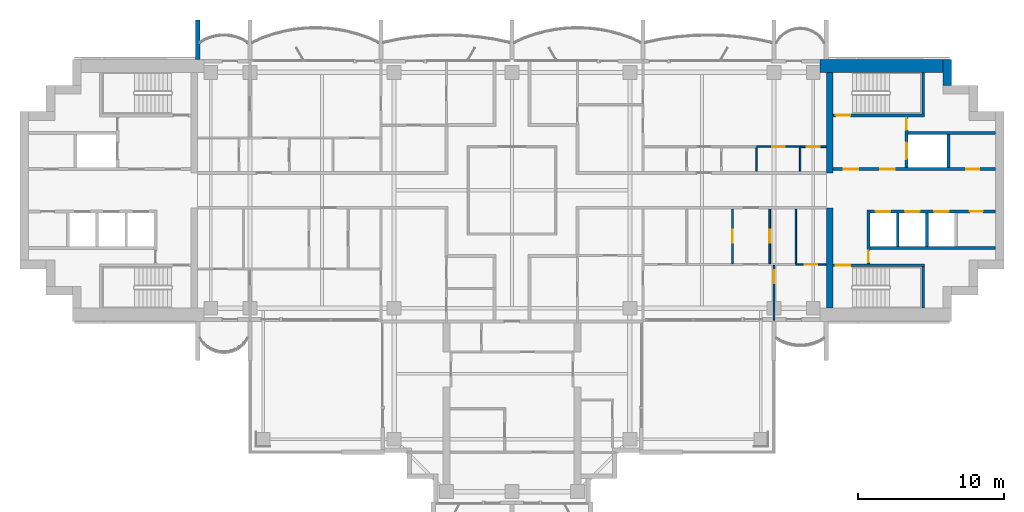
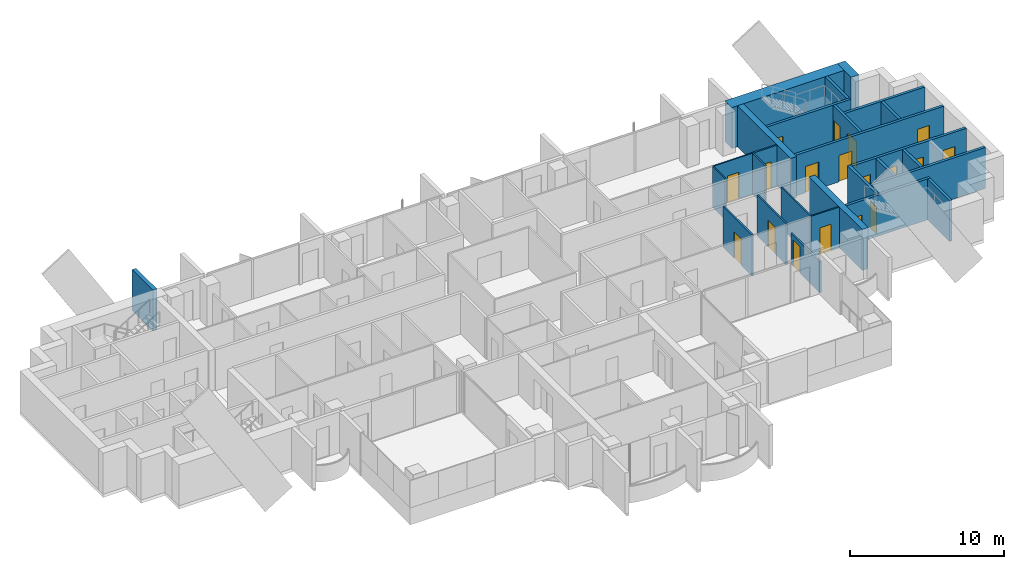
# One storey, part 12 of 17: 27 walls, 18 doors, 18 openings.
"""IFC4 building model written with IfcOpenShell, lengths in metres."""

from ifc_helpers import new_model, si_unit, direction, frame, frame_2d, origin, place, context, subcontext, project, spatial, rectangle, extrude, material, layer, layer_set, type_object, element, fill, save


model = new_model("IFC4")

# Units and contexts
model_context = context("Model", 3, precision=1e-05, world=origin(), true_north=direction((0.0, 1.0)))
body_context = subcontext(model_context, "Body", "Model", "MODEL_VIEW")
ifc_project = project(units=[si_unit("LENGTHUNIT", "METRE"), si_unit("AREAUNIT", "SQUARE_METRE"), si_unit("VOLUMEUNIT", "CUBIC_METRE"), si_unit("PLANEANGLEUNIT", "RADIAN"), si_unit("MASSUNIT", "GRAM", prefix="KILO")], contexts=[model_context])

# Site, building, storey
site_placement = place(None, origin())
site = spatial("IfcSite", under=ifc_project, at=site_placement, CompositionType="ELEMENT")
building_placement = place(site_placement, origin())
building = spatial("IfcBuilding", under=site, at=building_placement, Name="Perihelion Cross Residences", CompositionType="ELEMENT")
storey_placement = place(building_placement, frame((0.0, 0.0, 208.60009765625)))
storey = spatial("IfcBuildingStorey", under=building, at=storey_placement, Name="L52", CompositionType="ELEMENT", Elevation=208.60009765625)

# Walls
ifc_material_1 = material(Name="Concrete C60/75", Category="concrete")
ifc_layer_1 = layer(ifc_material_1, 0.449951171875)
ifc_layer_set_1 = layer_set([ifc_layer_1], Name="Core wall, inner 450")
wall_type_1 = type_object("IfcWallType", Name="Core wall, inner 450", PredefinedType="SHEAR", material=ifc_layer_set_1)
for number, where, z_axis, x_axis, name in (
    (1, (21.824951171875, -8.10009765625, 0.0), (0.0, 0.0, 1.0), (0.0, 1.0, 0.0), "East core core wall, inner"),
    (2, (21.824951171875, 1.199951171875, 0.0), (0.0, 0.0, 1.0), (0.0, 1.0, 0.0), "East core core wall, inner"),
):
    element("IfcWall", number, at=place(storey_placement, frame(where, z_axis=z_axis, x_axis=x_axis)), inside=storey, type_object=wall_type_1, Name=name, PredefinedType="SHEAR", context=body_context, shape_type="SweptSolid", body=[
        extrude(rectangle(XDim=6.900146484375, YDim=0.449951171875, at=frame_2d((3.4501953125, 0.0))), origin(), (0.0, 0.0, 1.0), 3.25),
    ])
ifc_material_2 = material(Name="Concrete C60/75", Category="concrete")
ifc_layer_2 = layer(ifc_material_2, 0.60009765625)
ifc_layer_set_2 = layer_set([ifc_layer_2], Name="Core wall, outer 600")
wall_type_2 = type_object("IfcWallType", Name="Core wall, outer 600", PredefinedType="SHEAR", material=ifc_layer_set_2)
wall_1_placement = place(storey_placement, frame((29.89990234375, 7.199951171875, 0.0), z_axis=(0.0, 0.0, 1.0), x_axis=(0.0, 1.0, 0.0)))
element("IfcWall", 3, at=wall_1_placement, inside=storey, type_object=wall_type_2, Name="East core core wall, outer", PredefinedType="SHEAR", context=body_context, shape_type="SweptSolid", body=[
    extrude(rectangle(XDim=1.800048828125, YDim=0.60009765625, at=frame_2d((0.89990234375, 0.0))), origin(), (0.0, 0.0, 1.0), 3.25),
])
ifc_material_3 = material(Name="Concrete C60/75", Category="concrete")
ifc_layer_3 = layer(ifc_material_3, 0.89990234375)
ifc_layer_set_3 = layer_set([ifc_layer_3], Name="Core wall, outer 900")
wall_type_3 = type_object("IfcWallType", Name="Core wall, outer 900", PredefinedType="SHEAR", material=ifc_layer_set_3)
wall_2_placement = place(storey_placement, frame((21.175048828125, 8.550048828125, 0.0), z_axis=(0.0, 0.0, 1.0), x_axis=(1.0, 0.0, 0.0)))
element("IfcWall", 4, at=wall_2_placement, inside=storey, type_object=wall_type_3, Name="East core core wall, outer", PredefinedType="SHEAR", context=body_context, shape_type="SweptSolid", body=[
    extrude(rectangle(XDim=8.425048828125, YDim=0.89990234375, at=frame_2d((4.21240234375, 0.0))), origin(), (0.0, 0.0, 1.0), 3.25),
])

# Wall, opening, door
ifc_material_4 = material(Name="Concrete C50/60", Category="concrete")
ifc_layer_4 = layer(ifc_material_4, 0.199951171875)
ifc_layer_set_4 = layer_set([ifc_layer_4], Name="Lobby wall 200")
wall_type_4 = type_object("IfcWallType", Name="Lobby wall 200", PredefinedType="SOLIDWALL", material=ifc_layer_set_4)
wall_3_placement = place(storey_placement, frame((24.5, -5.050048828125, 0.0), z_axis=(0.0, 0.0, 1.0), x_axis=(0.0, 1.0, 0.0)))
wall_3 = element("IfcWall", 5, at=wall_3_placement, inside=storey, type_object=wall_type_4, Name="East core lobby wall", PredefinedType="SOLIDWALL", context=body_context, shape_type="SweptSolid", body=[
    extrude(rectangle(XDim=3.699951171875, YDim=0.199951171875, at=frame_2d((1.85009765625, 0.0))), origin(), (0.0, 0.0, 1.0), 3.25),
])
opening_1_placement = place(wall_3_placement, frame((0.10009765625, 0.0, 0.0)))
opening_1 = element("IfcOpeningElement", 6, at=opening_1_placement, cuts=wall_3, Name="Opening L52.C08", PredefinedType="OPENING", context=body_context, shape_type="SweptSolid", body=[
    extrude(rectangle(XDim=0.800048828125, YDim=2.10009765625, at=frame_2d((0.39990234375, 1.050048828125))), frame((0.0, 0.10986328125, 0.0), z_axis=(0.0, -1.0, 0.0), x_axis=(1.0, 0.0, 0.0)), (0.0, 0.0, 1.0), 0.219970703125),
])
ifc_material_5 = material(Name="Steel, powder coated", Category="steel")
door_type_1 = type_object("IfcDoorType", Name="Riser door 800", OperationType="SINGLE_SWING_LEFT", PredefinedType="DOOR", material=ifc_material_5)
door_1_placement = place(opening_1_placement, origin())
door_1 = element("IfcDoor", 7, at=door_1_placement, inside=storey, type_object=door_type_1, Name="East core riser door", OperationType="SINGLE_SWING_LEFT", OverallHeight=2.10009765625, OverallWidth=0.800048828125, PredefinedType="DOOR", context=body_context, shape_type="SweptSolid", body=[
    extrude(rectangle(XDim=0.800048828125, YDim=2.10009765625, at=frame_2d((0.39990234375, 1.050048828125))), frame((0.0, 0.02490234375, 0.0), z_axis=(0.0, -1.0, 0.0), x_axis=(1.0, 0.0, 0.0)), (0.0, 0.0, 1.0), 0.050048828125),
])
fill(opening_1, door_1)

ifc_material_6 = material(Name="Plasterboard partition")
ifc_layer_5 = layer(ifc_material_6, 0.1201171875)
ifc_layer_set_5 = layer_set([ifc_layer_5], Name="Partition wall 120")
wall_type_5 = type_object("IfcWallType", Name="Partition wall 120", PredefinedType="PARTITIONING", material=ifc_layer_set_5)
wall_4_placement = place(storey_placement, frame((19.800048828125, 3.0, 0.0), z_axis=(0.0, 0.0, 1.0), x_axis=(1.0, 0.0, 0.0)))
wall_4 = element("IfcWall", 8, at=wall_4_placement, inside=storey, type_object=wall_type_5, Name="Partition L52 W029", PredefinedType="PARTITIONING", context=body_context, shape_type="SweptSolid", body=[
    extrude(rectangle(XDim=1.800048828125, YDim=0.1201171875, at=frame_2d((0.89990234375, 0.0))), origin(), (0.0, 0.0, 1.0), 3.25),
])
opening_2_placement = place(wall_4_placement, frame((0.449951171875, 0.0, 0.0)))
opening_2 = element("IfcOpeningElement", 9, at=opening_2_placement, cuts=wall_4, Name="Opening L52.A07", PredefinedType="OPENING", context=body_context, shape_type="SweptSolid", body=[
    extrude(rectangle(XDim=0.89990234375, YDim=2.10009765625, at=frame_2d((0.449951171875, 1.050048828125))), frame((0.0, 0.070068359375, 0.0), z_axis=(0.0, -1.0, 0.0), x_axis=(1.0, 0.0, 0.0)), (0.0, 0.0, 1.0), 0.14013671875),
])
ifc_material_7 = material(Name="Timber door leaf", Category="wood")
door_type_2 = type_object("IfcDoorType", Name="Interior room door 900 x 2100", OperationType="SINGLE_SWING_LEFT", PredefinedType="DOOR", material=ifc_material_7)
door_2_placement = place(opening_2_placement, origin())
door_2 = element("IfcDoor", 10, at=door_2_placement, inside=storey, type_object=door_type_2, Name="Door L52.A07", OperationType="SINGLE_SWING_RIGHT", OverallHeight=2.10009765625, OverallWidth=0.89990234375, PredefinedType="DOOR", context=body_context, shape_type="SweptSolid", body=[
    extrude(rectangle(XDim=0.89990234375, YDim=2.10009765625, at=frame_2d((0.449951171875, 1.050048828125))), frame((0.0, 0.02490234375, 0.0), z_axis=(0.0, -1.0, 0.0), x_axis=(1.0, 0.0, 0.0)), (0.0, 0.0, 1.0), 0.050048828125),
])
fill(opening_2, door_2)

wall_5_placement = place(storey_placement, frame((15.14990234375, -1.300048828125, 0.0), z_axis=(0.0, 0.0, 1.0), x_axis=(0.0, -1.0, 0.0)))
wall_5 = element("IfcWall", 11, at=wall_5_placement, inside=storey, type_object=wall_type_5, Name="Partition L52 W035", PredefinedType="PARTITIONING", context=body_context, shape_type="SweptSolid", body=[
    extrude(rectangle(XDim=3.739990234375, YDim=0.1201171875, at=frame_2d((1.8701171875, 0.0))), origin(), (0.0, 0.0, 1.0), 3.25),
])
opening_3_placement = place(wall_5_placement, frame((1.419921875, 0.0, 0.0)))
opening_3 = element("IfcOpeningElement", 12, at=opening_3_placement, cuts=wall_5, Name="Opening L52.A18", PredefinedType="OPENING", context=body_context, shape_type="SweptSolid", body=[
    extrude(rectangle(XDim=0.89990234375, YDim=2.10009765625, at=frame_2d((0.449951171875, 1.050048828125))), frame((0.0, 0.070068359375, 0.0), z_axis=(0.0, -1.0, 0.0), x_axis=(1.0, 0.0, 0.0)), (0.0, 0.0, 1.0), 0.14013671875),
])
door_3_placement = place(opening_3_placement, origin())
door_3 = element("IfcDoor", 13, at=door_3_placement, inside=storey, type_object=door_type_2, Name="Door L52.A18", OperationType="SINGLE_SWING_LEFT", OverallHeight=2.10009765625, OverallWidth=0.89990234375, PredefinedType="DOOR", context=body_context, shape_type="SweptSolid", body=[
    extrude(rectangle(XDim=0.89990234375, YDim=2.10009765625, at=frame_2d((0.449951171875, 1.050048828125))), frame((0.0, 0.02490234375, 0.0), z_axis=(0.0, -1.0, 0.0), x_axis=(1.0, 0.0, 0.0)), (0.0, 0.0, 1.0), 0.050048828125),
])
fill(opening_3, door_3)

wall_6_placement = place(storey_placement, frame((17.699951171875, -1.300048828125, 0.0), z_axis=(0.0, 0.0, 1.0), x_axis=(0.0, -1.0, 0.0)))
wall_6 = element("IfcWall", 14, at=wall_6_placement, inside=storey, type_object=wall_type_5, Name="Partition L52 W036", PredefinedType="PARTITIONING", context=body_context, shape_type="SweptSolid", body=[
    extrude(rectangle(XDim=3.739990234375, YDim=0.1201171875, at=frame_2d((1.8701171875, 0.0))), origin(), (0.0, 0.0, 1.0), 3.25),
])
opening_4_placement = place(wall_6_placement, frame((1.419921875, 0.0, 0.0)))
opening_4 = element("IfcOpeningElement", 15, at=opening_4_placement, cuts=wall_6, Name="Opening L52.A17", PredefinedType="OPENING", context=body_context, shape_type="SweptSolid", body=[
    extrude(rectangle(XDim=0.89990234375, YDim=2.10009765625, at=frame_2d((0.449951171875, 1.050048828125))), frame((0.0, 0.070068359375, 0.0), z_axis=(0.0, -1.0, 0.0), x_axis=(1.0, 0.0, 0.0)), (0.0, 0.0, 1.0), 0.14013671875),
])
door_4_placement = place(opening_4_placement, origin())
door_4 = element("IfcDoor", 16, at=door_4_placement, inside=storey, type_object=door_type_2, Name="Door L52.A17", OperationType="SINGLE_SWING_LEFT", OverallHeight=2.10009765625, OverallWidth=0.89990234375, PredefinedType="DOOR", context=body_context, shape_type="SweptSolid", body=[
    extrude(rectangle(XDim=0.89990234375, YDim=2.10009765625, at=frame_2d((0.449951171875, 1.050048828125))), frame((0.0, 0.02490234375, 0.0), z_axis=(0.0, -1.0, 0.0), x_axis=(1.0, 0.0, 0.0)), (0.0, 0.0, 1.0), 0.050048828125),
])
fill(opening_4, door_4)

wall_7_placement = place(storey_placement, frame((18.0, -5.159912109375, 0.0), z_axis=(0.0, 0.0, 1.0), x_axis=(0.0, -1.0, 0.0)))
wall_7 = element("IfcWall", 17, at=wall_7_placement, inside=storey, type_object=wall_type_5, Name="Partition L52 W039", PredefinedType="PARTITIONING", context=body_context, shape_type="SweptSolid", body=[
    extrude(rectangle(XDim=3.760009765625, YDim=0.1201171875, at=frame_2d((1.8798828125, 0.0))), origin(), (0.0, 0.0, 1.0), 2.47998046875),
])
opening_5_placement = place(wall_7_placement, frame((0.320068359375, 0.0, 0.0)))
opening_5 = element("IfcOpeningElement", 18, at=opening_5_placement, cuts=wall_7, Name="Opening L52.A10", PredefinedType="OPENING", context=body_context, shape_type="SweptSolid", body=[
    extrude(rectangle(XDim=0.89990234375, YDim=2.10009765625, at=frame_2d((0.449951171875, 1.050048828125))), frame((0.0, 0.070068359375, 0.0), z_axis=(0.0, -1.0, 0.0), x_axis=(1.0, 0.0, 0.0)), (0.0, 0.0, 1.0), 0.14013671875),
])
door_5_placement = place(opening_5_placement, origin())
door_5 = element("IfcDoor", 19, at=door_5_placement, inside=storey, type_object=door_type_2, Name="Door L52.A10", OperationType="SINGLE_SWING_LEFT", OverallHeight=2.10009765625, OverallWidth=0.89990234375, PredefinedType="DOOR", context=body_context, shape_type="SweptSolid", body=[
    extrude(rectangle(XDim=0.89990234375, YDim=2.10009765625, at=frame_2d((0.449951171875, 1.050048828125))), frame((0.0, 0.02490234375, 0.0), z_axis=(0.0, -1.0, 0.0), x_axis=(1.0, 0.0, 0.0)), (0.0, 0.0, 1.0), 0.050048828125),
])
fill(opening_5, door_5)

# Wall
ifc_material_8 = material(Name="Precast concrete C50/60", Category="concrete")
ifc_layer_6 = layer(ifc_material_8, 0.300048828125)
ifc_layer_set_6 = layer_set([ifc_layer_6], Name="Precast concrete C50/60 blade wall 300")
wall_type_6 = type_object("IfcWallType", Name="Precast concrete C50/60 blade wall 300", PredefinedType="SOLIDWALL", material=ifc_layer_set_6)
wall_8_placement = place(storey_placement, frame((-21.60009765625, 9.0, 0.0), z_axis=(0.0, 0.0, 1.0), x_axis=(0.0, 1.0, 0.0)))
element("IfcWall", 20, at=wall_8_placement, inside=storey, type_object=wall_type_6, Name="Wall BL1 L52 no. 4", PredefinedType="SOLIDWALL", context=body_context, shape_type="SweptSolid", body=[
    extrude(rectangle(XDim=2.699951171875, YDim=0.300048828125, at=frame_2d((1.35009765625, 0.0))), origin(), (0.0, 0.0, 1.0), 3.25),
])

# Wall, openings, doors
ifc_material_9 = material(Name="Concrete C50/60", Category="concrete")
ifc_layer_7 = layer(ifc_material_9, 0.199951171875)
ifc_layer_set_7 = layer_set([ifc_layer_7], Name="Shaft wall 200")
wall_type_7 = type_object("IfcWallType", Name="Shaft wall 200", PredefinedType="SOLIDWALL", material=ifc_layer_set_7)
wall_9_placement = place(storey_placement, frame((22.050048828125, 1.449951171875, 0.0), z_axis=(0.0, 0.0, 1.0), x_axis=(1.0, 0.0, 0.0)))
wall_9 = element("IfcWall", 21, at=wall_9_placement, inside=storey, type_object=wall_type_7, Name="East core shaft wall", PredefinedType="SOLIDWALL", context=body_context, shape_type="SweptSolid", body=[
    extrude(rectangle(XDim=11.14990234375, YDim=0.199951171875, at=frame_2d((5.574951171875, 0.0))), origin(), (0.0, 0.0, 1.0), 3.25),
])
opening_6_placement = place(wall_9_placement, frame((0.75, 0.0, 0.0)))
opening_6 = element("IfcOpeningElement", 22, at=opening_6_placement, cuts=wall_9, Name="Opening L52.C07", PredefinedType="OPENING", context=body_context, shape_type="SweptSolid", body=[
    extrude(rectangle(XDim=1.0, YDim=2.10009765625, at=frame_2d((0.5, 1.050048828125))), frame((0.0, 0.10986328125, 0.0), z_axis=(0.0, -1.0, 0.0), x_axis=(1.0, 0.0, 0.0)), (0.0, 0.0, 1.0), 0.219970703125),
])
opening_7_placement = place(wall_9_placement, frame((3.25, 0.0, 0.0)))
opening_7 = element("IfcOpeningElement", 23, at=opening_7_placement, cuts=wall_9, Name="Opening L52.C09", PredefinedType="OPENING", context=body_context, shape_type="SweptSolid", body=[
    extrude(rectangle(XDim=1.0, YDim=2.10009765625, at=frame_2d((0.5, 1.050048828125))), frame((0.0, 0.10986328125, 0.0), z_axis=(0.0, -1.0, 0.0), x_axis=(1.0, 0.0, 0.0)), (0.0, 0.0, 1.0), 0.219970703125),
])
opening_8_placement = place(wall_9_placement, frame((9.14990234375, 0.0, 0.0)))
opening_8 = element("IfcOpeningElement", 24, at=opening_8_placement, cuts=wall_9, Name="Opening L52.C11", PredefinedType="OPENING", context=body_context, shape_type="SweptSolid", body=[
    extrude(rectangle(XDim=0.89990234375, YDim=2.10009765625, at=frame_2d((0.449951171875, 1.050048828125))), frame((0.0, 0.10986328125, 0.0), z_axis=(0.0, -1.0, 0.0), x_axis=(1.0, 0.0, 0.0)), (0.0, 0.0, 1.0), 0.219970703125),
])
ifc_material_10 = material(Name="Steel, powder coated", Category="steel")
door_type_3 = type_object("IfcDoorType", Name="Lobby door 1000", OperationType="SINGLE_SWING_LEFT", PredefinedType="DOOR", material=ifc_material_10)
door_6_placement = place(opening_6_placement, origin())
door_6 = element("IfcDoor", 25, at=door_6_placement, inside=storey, type_object=door_type_3, Name="East core firefighting lobby door", OperationType="SINGLE_SWING_LEFT", OverallHeight=2.10009765625, OverallWidth=1.0, PredefinedType="DOOR", context=body_context, shape_type="SweptSolid", body=[
    extrude(rectangle(XDim=1.0, YDim=2.10009765625, at=frame_2d((0.5, 1.050048828125))), frame((0.0, 0.02490234375, 0.0), z_axis=(0.0, -1.0, 0.0), x_axis=(1.0, 0.0, 0.0)), (0.0, 0.0, 1.0), 0.050048828125),
])
fill(opening_6, door_6)
door_7_placement = place(opening_7_placement, origin())
door_7 = element("IfcDoor", 26, at=door_7_placement, inside=storey, type_object=door_type_3, Name="East core firefighting lobby door", OperationType="SINGLE_SWING_LEFT", OverallHeight=2.10009765625, OverallWidth=1.0, PredefinedType="DOOR", context=body_context, shape_type="SweptSolid", body=[
    extrude(rectangle(XDim=1.0, YDim=2.10009765625, at=frame_2d((0.5, 1.050048828125))), frame((0.0, 0.02490234375, 0.0), z_axis=(0.0, -1.0, 0.0), x_axis=(1.0, 0.0, 0.0)), (0.0, 0.0, 1.0), 0.050048828125),
])
fill(opening_7, door_7)
ifc_material_11 = material(Name="Steel, powder coated", Category="steel")
door_type_4 = type_object("IfcDoorType", Name="Service room door 900", OperationType="SINGLE_SWING_LEFT", PredefinedType="DOOR", material=ifc_material_11)
door_8_placement = place(opening_8_placement, origin())
door_8 = element("IfcDoor", 27, at=door_8_placement, inside=storey, type_object=door_type_4, Name="East core service room door", OperationType="SINGLE_SWING_LEFT", OverallHeight=2.10009765625, OverallWidth=0.89990234375, PredefinedType="DOOR", context=body_context, shape_type="SweptSolid", body=[
    extrude(rectangle(XDim=0.89990234375, YDim=2.10009765625, at=frame_2d((0.449951171875, 1.050048828125))), frame((0.0, 0.02490234375, 0.0), z_axis=(0.0, -1.0, 0.0), x_axis=(1.0, 0.0, 0.0)), (0.0, 0.0, 1.0), 0.050048828125),
])
fill(opening_8, door_8)

wall_10_placement = place(storey_placement, frame((24.60009765625, -1.449951171875, 0.0), z_axis=(0.0, 0.0, 1.0), x_axis=(1.0, 0.0, 0.0)))
wall_10 = element("IfcWall", 28, at=wall_10_placement, inside=storey, type_object=wall_type_7, Name="East core shaft wall", PredefinedType="SOLIDWALL", context=body_context, shape_type="SweptSolid", body=[
    extrude(rectangle(XDim=8.599853515625, YDim=0.199951171875, at=frame_2d((4.2998046875, 0.0))), origin(), (0.0, 0.0, 1.0), 3.25),
])
opening_9_placement = place(wall_10_placement, frame((0.39990234375, 0.0, 0.0)))
opening_9 = element("IfcOpeningElement", 29, at=opening_9_placement, cuts=wall_10, Name="Opening L52.C01", PredefinedType="OPENING", context=body_context, shape_type="SweptSolid", body=[
    extrude(rectangle(XDim=1.0, YDim=2.10009765625, at=frame_2d((0.5, 1.050048828125))), frame((0.0, 0.10986328125, 0.0), z_axis=(0.0, -1.0, 0.0), x_axis=(1.0, 0.0, 0.0)), (0.0, 0.0, 1.0), 0.219970703125),
])
opening_10_placement = place(wall_10_placement, frame((2.39990234375, 0.0, 0.0)))
opening_10 = element("IfcOpeningElement", 30, at=opening_10_placement, cuts=wall_10, Name="Opening L52.C03", PredefinedType="OPENING", context=body_context, shape_type="SweptSolid", body=[
    extrude(rectangle(XDim=1.0, YDim=2.10009765625, at=frame_2d((0.5, 1.050048828125))), frame((0.0, 0.10986328125, 0.0), z_axis=(0.0, -1.0, 0.0), x_axis=(1.0, 0.0, 0.0)), (0.0, 0.0, 1.0), 0.219970703125),
])
opening_11_placement = place(wall_10_placement, frame((4.39990234375, 0.0, 0.0)))
opening_11 = element("IfcOpeningElement", 31, at=opening_11_placement, cuts=wall_10, Name="Opening L52.C04", PredefinedType="OPENING", context=body_context, shape_type="SweptSolid", body=[
    extrude(rectangle(XDim=1.0, YDim=2.10009765625, at=frame_2d((0.5, 1.050048828125))), frame((0.0, 0.10986328125, 0.0), z_axis=(0.0, -1.0, 0.0), x_axis=(1.0, 0.0, 0.0)), (0.0, 0.0, 1.0), 0.219970703125),
])
opening_12_placement = place(wall_10_placement, frame((6.85009765625, 0.0, 0.0)))
opening_12 = element("IfcOpeningElement", 32, at=opening_12_placement, cuts=wall_10, Name="Opening L52.C12", PredefinedType="OPENING", context=body_context, shape_type="SweptSolid", body=[
    extrude(rectangle(XDim=0.89990234375, YDim=2.10009765625, at=frame_2d((0.449951171875, 1.050048828125))), frame((0.0, 0.10986328125, 0.0), z_axis=(0.0, -1.0, 0.0), x_axis=(1.0, 0.0, 0.0)), (0.0, 0.0, 1.0), 0.219970703125),
])
ifc_material_12 = material(Name="Stainless steel", Category="steel")
door_type_5 = type_object("IfcDoorType", Name="Landing door 1000", OperationType="DOUBLE_DOOR_SLIDING", PredefinedType="DOOR", material=ifc_material_12)
door_9_placement = place(opening_9_placement, origin())
door_9 = element("IfcDoor", 33, at=door_9_placement, inside=storey, type_object=door_type_5, Name="Landing door, East core high-rise lift 1", OperationType="DOUBLE_DOOR_SLIDING", OverallHeight=2.10009765625, OverallWidth=1.0, PredefinedType="DOOR", context=body_context, shape_type="SweptSolid", body=[
    extrude(rectangle(XDim=1.0, YDim=2.10009765625, at=frame_2d((0.5, 1.050048828125))), frame((0.0, 0.02490234375, 0.0), z_axis=(0.0, -1.0, 0.0), x_axis=(1.0, 0.0, 0.0)), (0.0, 0.0, 1.0), 0.050048828125),
])
fill(opening_9, door_9)
door_10_placement = place(opening_10_placement, origin())
door_10 = element("IfcDoor", 34, at=door_10_placement, inside=storey, type_object=door_type_5, Name="Landing door, East core high-rise lift 2", OperationType="DOUBLE_DOOR_SLIDING", OverallHeight=2.10009765625, OverallWidth=1.0, PredefinedType="DOOR", context=body_context, shape_type="SweptSolid", body=[
    extrude(rectangle(XDim=1.0, YDim=2.10009765625, at=frame_2d((0.5, 1.050048828125))), frame((0.0, 0.02490234375, 0.0), z_axis=(0.0, -1.0, 0.0), x_axis=(1.0, 0.0, 0.0)), (0.0, 0.0, 1.0), 0.050048828125),
])
fill(opening_10, door_10)
door_11_placement = place(opening_11_placement, origin())
door_11 = element("IfcDoor", 35, at=door_11_placement, inside=storey, type_object=door_type_5, Name="Landing door, East core high-rise lift 3", OperationType="DOUBLE_DOOR_SLIDING", OverallHeight=2.10009765625, OverallWidth=1.0, PredefinedType="DOOR", context=body_context, shape_type="SweptSolid", body=[
    extrude(rectangle(XDim=1.0, YDim=2.10009765625, at=frame_2d((0.5, 1.050048828125))), frame((0.0, 0.02490234375, 0.0), z_axis=(0.0, -1.0, 0.0), x_axis=(1.0, 0.0, 0.0)), (0.0, 0.0, 1.0), 0.050048828125),
])
fill(opening_11, door_11)
door_12_placement = place(opening_12_placement, origin())
door_12 = element("IfcDoor", 36, at=door_12_placement, inside=storey, type_object=door_type_4, Name="East core service room door", OperationType="SINGLE_SWING_LEFT", OverallHeight=2.10009765625, OverallWidth=0.89990234375, PredefinedType="DOOR", context=body_context, shape_type="SweptSolid", body=[
    extrude(rectangle(XDim=0.89990234375, YDim=2.10009765625, at=frame_2d((0.449951171875, 1.050048828125))), frame((0.0, 0.02490234375, 0.0), z_axis=(0.0, -1.0, 0.0), x_axis=(1.0, 0.0, 0.0)), (0.0, 0.0, 1.0), 0.050048828125),
])
fill(opening_12, door_12)

# Walls
wall_11_placement = place(storey_placement, frame((27.199951171875, 3.949951171875, 0.0), z_axis=(0.0, 0.0, 1.0), x_axis=(1.0, 0.0, 0.0)))
element("IfcWall", 37, at=wall_11_placement, inside=storey, type_object=wall_type_7, Name="East core shaft wall", PredefinedType="SOLIDWALL", context=body_context, shape_type="SweptSolid", body=[
    extrude(rectangle(XDim=6.0, YDim=0.199951171875, at=frame_2d((3.0, 0.0))), origin(), (0.0, 0.0, 1.0), 3.25),
])
wall_12_placement = place(storey_placement, frame((24.60009765625, -3.949951171875, 0.0), z_axis=(0.0, 0.0, 1.0), x_axis=(1.0, 0.0, 0.0)))
element("IfcWall", 38, at=wall_12_placement, inside=storey, type_object=wall_type_7, Name="East core shaft wall", PredefinedType="SOLIDWALL", context=body_context, shape_type="SweptSolid", body=[
    extrude(rectangle(XDim=8.599853515625, YDim=0.199951171875, at=frame_2d((4.2998046875, 0.0))), origin(), (0.0, 0.0, 1.0), 3.25),
])

# Wall, openings, doors
wall_13_placement = place(storey_placement, frame((27.10009765625, 1.550048828125, 0.0), z_axis=(0.0, 0.0, 1.0), x_axis=(0.0, 1.0, 0.0)))
wall_13 = element("IfcWall", 39, at=wall_13_placement, inside=storey, type_object=wall_type_7, Name="East core shaft wall", PredefinedType="SOLIDWALL", context=body_context, shape_type="SweptSolid", body=[
    extrude(rectangle(XDim=3.5, YDim=0.199951171875, at=frame_2d((1.75, 0.0))), origin(), (0.0, 0.0, 1.0), 3.25),
])
opening_13_placement = place(wall_13_placement, frame((0.60009765625, 0.0, 0.0)))
opening_13 = element("IfcOpeningElement", 40, at=opening_13_placement, cuts=wall_13, Name="Opening L52.C02", PredefinedType="OPENING", context=body_context, shape_type="SweptSolid", body=[
    extrude(rectangle(XDim=1.10009765625, YDim=2.10009765625, at=frame_2d((0.550048828125, 1.050048828125))), frame((0.0, 0.10986328125, 0.0), z_axis=(0.0, -1.0, 0.0), x_axis=(1.0, 0.0, 0.0)), (0.0, 0.0, 1.0), 0.219970703125),
])
opening_14_placement = place(wall_13_placement, frame((2.60009765625, 0.0, 0.0)))
opening_14 = element("IfcOpeningElement", 41, at=opening_14_placement, cuts=wall_13, Name="Opening L52.C10", PredefinedType="OPENING", context=body_context, shape_type="SweptSolid", body=[
    extrude(rectangle(XDim=0.800048828125, YDim=2.10009765625, at=frame_2d((0.39990234375, 1.050048828125))), frame((0.0, 0.10986328125, 0.0), z_axis=(0.0, -1.0, 0.0), x_axis=(1.0, 0.0, 0.0)), (0.0, 0.0, 1.0), 0.219970703125),
])
ifc_material_13 = material(Name="Stainless steel", Category="steel")
door_type_6 = type_object("IfcDoorType", Name="Landing door, firefighting lift 1100", OperationType="DOUBLE_DOOR_SLIDING", PredefinedType="DOOR", material=ifc_material_13)
door_13_placement = place(opening_13_placement, origin())
door_13 = element("IfcDoor", 42, at=door_13_placement, inside=storey, type_object=door_type_6, Name="Landing door, East core firefighting and service lift", OperationType="DOUBLE_DOOR_SLIDING", OverallHeight=2.10009765625, OverallWidth=1.10009765625, PredefinedType="DOOR", context=body_context, shape_type="SweptSolid", body=[
    extrude(rectangle(XDim=1.10009765625, YDim=2.10009765625, at=frame_2d((0.550048828125, 1.050048828125))), frame((0.0, 0.02490234375, 0.0), z_axis=(0.0, -1.0, 0.0), x_axis=(1.0, 0.0, 0.0)), (0.0, 0.0, 1.0), 0.050048828125),
])
fill(opening_13, door_13)
door_14_placement = place(opening_14_placement, origin())
door_14 = element("IfcDoor", 43, at=door_14_placement, inside=storey, type_object=door_type_1, Name="East core riser door", OperationType="SINGLE_SWING_LEFT", OverallHeight=2.10009765625, OverallWidth=0.800048828125, PredefinedType="DOOR", context=body_context, shape_type="SweptSolid", body=[
    extrude(rectangle(XDim=0.800048828125, YDim=2.10009765625, at=frame_2d((0.39990234375, 1.050048828125))), frame((0.0, 0.02490234375, 0.0), z_axis=(0.0, -1.0, 0.0), x_axis=(1.0, 0.0, 0.0)), (0.0, 0.0, 1.0), 0.050048828125),
])
fill(opening_14, door_14)

# Walls
for number, where, z_axis, x_axis, name in (
    (44, (30.0, 1.550048828125, 0.0), (0.0, 0.0, 1.0), (0.0, 1.0, 0.0), "East core shaft wall"),
    (45, (26.5, -3.85009765625, 0.0), (0.0, 0.0, 1.0), (0.0, 1.0, 0.0), "East core shaft wall"),
    (46, (28.5, -3.85009765625, 0.0), (0.0, 0.0, 1.0), (0.0, 1.0, 0.0), "East core shaft wall"),
):
    element("IfcWall", number, at=place(storey_placement, frame(where, z_axis=z_axis, x_axis=x_axis)), inside=storey, type_object=wall_type_7, Name=name, PredefinedType="SOLIDWALL", context=body_context, shape_type="SweptSolid", body=[
        extrude(rectangle(XDim=2.300048828125, YDim=0.199951171875, at=frame_2d((1.14990234375, 0.0))), origin(), (0.0, 0.0, 1.0), 3.25),
    ])

# Wall, opening, door
ifc_material_14 = material(Name="Concrete C50/60", Category="concrete")
ifc_layer_8 = layer(ifc_material_14, 0.199951171875)
ifc_layer_set_8 = layer_set([ifc_layer_8], Name="Stair wall 200")
wall_type_8 = type_object("IfcWallType", Name="Stair wall 200", PredefinedType="SOLIDWALL", material=ifc_layer_set_8)
wall_14_placement = place(storey_placement, frame((22.050048828125, 5.14990234375, 0.0), z_axis=(0.0, 0.0, 1.0), x_axis=(1.0, 0.0, 0.0)))
wall_14 = element("IfcWall", 47, at=wall_14_placement, inside=storey, type_object=wall_type_8, Name="East core stair wall", PredefinedType="SOLIDWALL", context=body_context, shape_type="SweptSolid", body=[
    extrude(rectangle(XDim=6.300048828125, YDim=0.199951171875, at=frame_2d((3.14990234375, 0.0))), origin(), (0.0, 0.0, 1.0), 3.25),
])
opening_15_placement = place(wall_14_placement, frame((0.199951171875, 0.0, 0.0)))
opening_15 = element("IfcOpeningElement", 48, at=opening_15_placement, cuts=wall_14, Name="Opening L52.C06", PredefinedType="OPENING", context=body_context, shape_type="SweptSolid", body=[
    extrude(rectangle(XDim=1.0, YDim=2.10009765625, at=frame_2d((0.5, 1.050048828125))), frame((0.0, 0.10986328125, 0.0), z_axis=(0.0, -1.0, 0.0), x_axis=(1.0, 0.0, 0.0)), (0.0, 0.0, 1.0), 0.219970703125),
])
ifc_material_15 = material(Name="Steel, powder coated", Category="steel")
door_type_7 = type_object("IfcDoorType", Name="Stair door 1000", OperationType="SINGLE_SWING_LEFT", PredefinedType="DOOR", material=ifc_material_15)
door_15_placement = place(opening_15_placement, origin())
door_15 = element("IfcDoor", 49, at=door_15_placement, inside=storey, type_object=door_type_7, Name="East core stair door", OperationType="SINGLE_SWING_LEFT", OverallHeight=2.10009765625, OverallWidth=1.0, PredefinedType="DOOR", context=body_context, shape_type="SweptSolid", body=[
    extrude(rectangle(XDim=1.0, YDim=2.10009765625, at=frame_2d((0.5, 1.050048828125))), frame((0.0, 0.02490234375, 0.0), z_axis=(0.0, -1.0, 0.0), x_axis=(1.0, 0.0, 0.0)), (0.0, 0.0, 1.0), 0.050048828125),
])
fill(opening_15, door_15)

wall_15_placement = place(storey_placement, frame((22.050048828125, -5.14990234375, 0.0), z_axis=(0.0, 0.0, 1.0), x_axis=(1.0, 0.0, 0.0)))
wall_15 = element("IfcWall", 50, at=wall_15_placement, inside=storey, type_object=wall_type_8, Name="East core stair wall", PredefinedType="SOLIDWALL", context=body_context, shape_type="SweptSolid", body=[
    extrude(rectangle(XDim=6.300048828125, YDim=0.199951171875, at=frame_2d((3.14990234375, 0.0))), origin(), (0.0, 0.0, 1.0), 3.25),
])
opening_16_placement = place(wall_15_placement, frame((0.199951171875, 0.0, 0.0)))
opening_16 = element("IfcOpeningElement", 51, at=opening_16_placement, cuts=wall_15, Name="Opening L52.C05", PredefinedType="OPENING", context=body_context, shape_type="SweptSolid", body=[
    extrude(rectangle(XDim=1.0, YDim=2.10009765625, at=frame_2d((0.5, 1.050048828125))), frame((0.0, 0.10986328125, 0.0), z_axis=(0.0, -1.0, 0.0), x_axis=(1.0, 0.0, 0.0)), (0.0, 0.0, 1.0), 0.219970703125),
])
door_16_placement = place(opening_16_placement, origin())
door_16 = element("IfcDoor", 52, at=door_16_placement, inside=storey, type_object=door_type_7, Name="East core stair door", OperationType="SINGLE_SWING_LEFT", OverallHeight=2.10009765625, OverallWidth=1.0, PredefinedType="DOOR", context=body_context, shape_type="SweptSolid", body=[
    extrude(rectangle(XDim=1.0, YDim=2.10009765625, at=frame_2d((0.5, 1.050048828125))), frame((0.0, 0.02490234375, 0.0), z_axis=(0.0, -1.0, 0.0), x_axis=(1.0, 0.0, 0.0)), (0.0, 0.0, 1.0), 0.050048828125),
])
fill(opening_16, door_16)

# Walls
for number, where, z_axis, x_axis, name in (
    (53, (28.25, 5.25, 0.0), (0.0, 0.0, 1.0), (0.0, 1.0, 0.0), "East core stair wall"),
    (54, (28.25, -8.10009765625, 0.0), (0.0, 0.0, 1.0), (0.0, 1.0, 0.0), "East core stair wall"),
):
    element("IfcWall", number, at=place(storey_placement, frame(where, z_axis=z_axis, x_axis=x_axis)), inside=storey, type_object=wall_type_8, Name=name, PredefinedType="SOLIDWALL", context=body_context, shape_type="SweptSolid", body=[
        extrude(rectangle(XDim=2.85009765625, YDim=0.199951171875, at=frame_2d((1.425048828125, 0.0))), origin(), (0.0, 0.0, 1.0), 3.25),
    ])
ifc_material_16 = material(Name="Plasterboard partition")
ifc_layer_9 = layer(ifc_material_16, 0.10009765625)
ifc_layer_set_9 = layer_set([ifc_layer_9], Name="Wet room wall 100")
wall_type_9 = type_object("IfcWallType", Name="Wet room wall 100", PredefinedType="PARTITIONING", material=ifc_layer_set_9)
for number, where, z_axis, x_axis, name in (
    (55, (16.800048828125, 2.93994140625, 0.0), (0.0, 0.0, 1.0), (0.0, -1.0, 0.0), "Partition L52 W026"),
    (56, (19.800048828125, 2.93994140625, 0.0), (0.0, 0.0, 1.0), (0.0, -1.0, 0.0), "Partition L52 W027"),
):
    element("IfcWall", number, at=place(storey_placement, frame(where, z_axis=z_axis, x_axis=x_axis)), inside=storey, type_object=wall_type_9, Name=name, PredefinedType="PARTITIONING", context=body_context, shape_type="SweptSolid", body=[
        extrude(rectangle(XDim=1.639892578125, YDim=0.10009765625, at=frame_2d((0.81982421875, 0.0))), origin(), (0.0, 0.0, 1.0), 3.25),
    ])

# Wall, opening, door
wall_16_placement = place(storey_placement, frame((16.800048828125, 3.0, 0.0), z_axis=(0.0, 0.0, 1.0), x_axis=(1.0, 0.0, 0.0)))
wall_16 = element("IfcWall", 57, at=wall_16_placement, inside=storey, type_object=wall_type_9, Name="Partition L52 W028", PredefinedType="PARTITIONING", context=body_context, shape_type="SweptSolid", body=[
    extrude(rectangle(XDim=3.0, YDim=0.10009765625, at=frame_2d((1.5, 0.0))), origin(), (0.0, 0.0, 1.0), 3.25),
])
opening_17_placement = place(wall_16_placement, frame((1.074951171875, 0.0, 0.0)))
opening_17 = element("IfcOpeningElement", 58, at=opening_17_placement, cuts=wall_16, Name="Opening L52.A02", PredefinedType="OPENING", context=body_context, shape_type="SweptSolid", body=[
    extrude(rectangle(XDim=0.85009765625, YDim=2.10009765625, at=frame_2d((0.425048828125, 1.050048828125))), frame((0.0, 0.06005859375, 0.0), z_axis=(0.0, -1.0, 0.0), x_axis=(1.0, 0.0, 0.0)), (0.0, 0.0, 1.0), 0.1201171875),
])
ifc_material_17 = material(Name="Timber door leaf", Category="wood")
door_type_8 = type_object("IfcDoorType", Name="Interior bathroom door 850 x 2100", OperationType="SINGLE_SWING_LEFT", PredefinedType="DOOR", material=ifc_material_17)
door_17_placement = place(opening_17_placement, origin())
door_17 = element("IfcDoor", 59, at=door_17_placement, inside=storey, type_object=door_type_8, Name="Door L52.A02", OperationType="SINGLE_SWING_LEFT", OverallHeight=2.10009765625, OverallWidth=0.85009765625, PredefinedType="DOOR", context=body_context, shape_type="SweptSolid", body=[
    extrude(rectangle(XDim=0.85009765625, YDim=2.10009765625, at=frame_2d((0.425048828125, 1.050048828125))), frame((0.0, 0.02490234375, 0.0), z_axis=(0.0, -1.0, 0.0), x_axis=(1.0, 0.0, 0.0)), (0.0, 0.0, 1.0), 0.050048828125),
])
fill(opening_17, door_17)

# Wall
wall_17_placement = place(storey_placement, frame((19.5, -1.300048828125, 0.0), z_axis=(0.0, 0.0, 1.0), x_axis=(0.0, -1.0, 0.0)))
element("IfcWall", 60, at=wall_17_placement, inside=storey, type_object=wall_type_9, Name="Partition L52 W037", PredefinedType="PARTITIONING", context=body_context, shape_type="SweptSolid", body=[
    extrude(rectangle(XDim=3.739990234375, YDim=0.10009765625, at=frame_2d((1.8701171875, 0.0))), origin(), (0.0, 0.0, 1.0), 3.25),
])

# Wall, opening, door
wall_18_placement = place(storey_placement, frame((21.60009765625, -5.10009765625, 0.0), z_axis=(0.0, 0.0, 1.0), x_axis=(-1.0, 0.0, 0.0)))
wall_18 = element("IfcWall", 61, at=wall_18_placement, inside=storey, type_object=wall_type_9, Name="Partition L52 W038", PredefinedType="PARTITIONING", context=body_context, shape_type="SweptSolid", body=[
    extrude(rectangle(XDim=2.10009765625, YDim=0.10009765625, at=frame_2d((1.050048828125, 0.0))), origin(), (0.0, 0.0, 1.0), 3.25),
])
opening_18_placement = place(wall_18_placement, frame((0.625, 0.0, 0.0)))
opening_18 = element("IfcOpeningElement", 62, at=opening_18_placement, cuts=wall_18, Name="Opening L52.A16", PredefinedType="OPENING", context=body_context, shape_type="SweptSolid", body=[
    extrude(rectangle(XDim=0.85009765625, YDim=2.10009765625, at=frame_2d((0.425048828125, 1.050048828125))), frame((0.0, 0.06005859375, 0.0), z_axis=(0.0, -1.0, 0.0), x_axis=(1.0, 0.0, 0.0)), (0.0, 0.0, 1.0), 0.1201171875),
])
door_18_placement = place(opening_18_placement, origin())
door_18 = element("IfcDoor", 63, at=door_18_placement, inside=storey, type_object=door_type_8, Name="Door L52.A16", OperationType="SINGLE_SWING_LEFT", OverallHeight=2.10009765625, OverallWidth=0.85009765625, PredefinedType="DOOR", context=body_context, shape_type="SweptSolid", body=[
    extrude(rectangle(XDim=0.85009765625, YDim=2.10009765625, at=frame_2d((0.425048828125, 1.050048828125))), frame((0.0, 0.02490234375, 0.0), z_axis=(0.0, -1.0, 0.0), x_axis=(1.0, 0.0, 0.0)), (0.0, 0.0, 1.0), 0.050048828125),
])
fill(opening_18, door_18)

save(model, "model.ifc")
